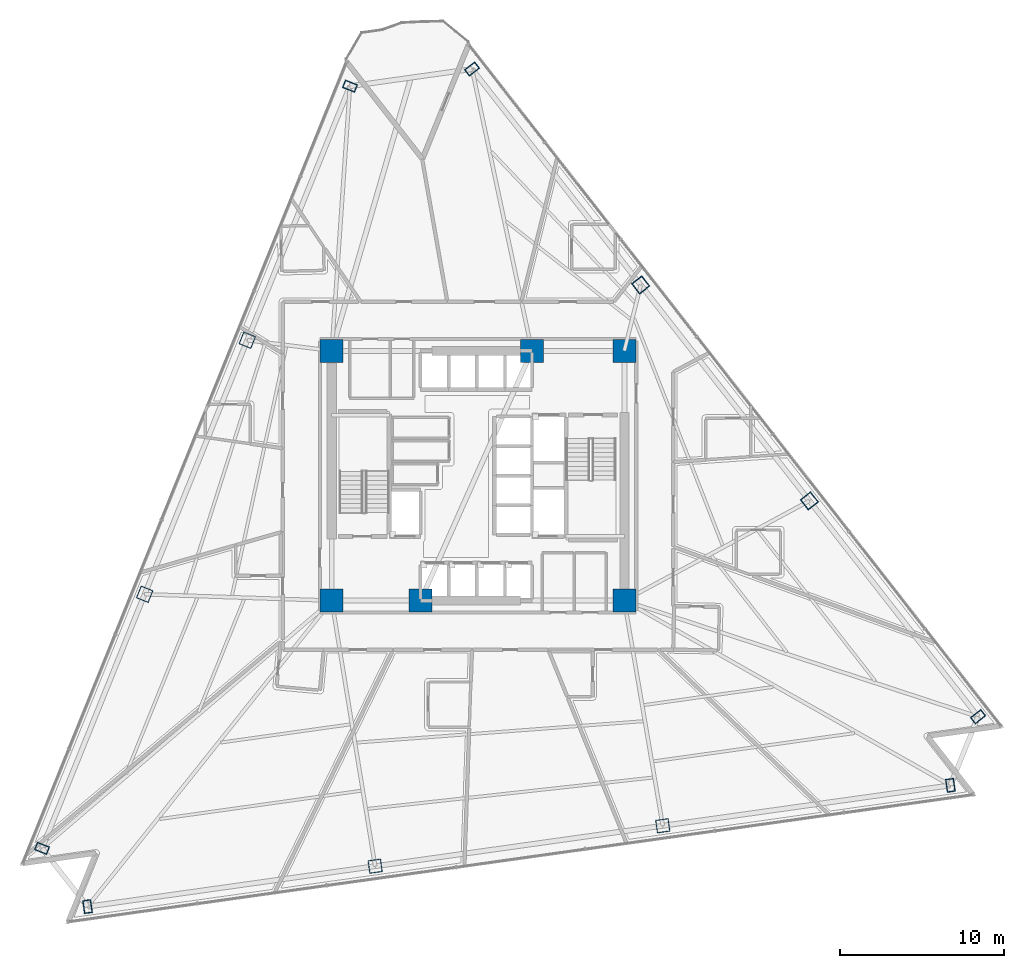
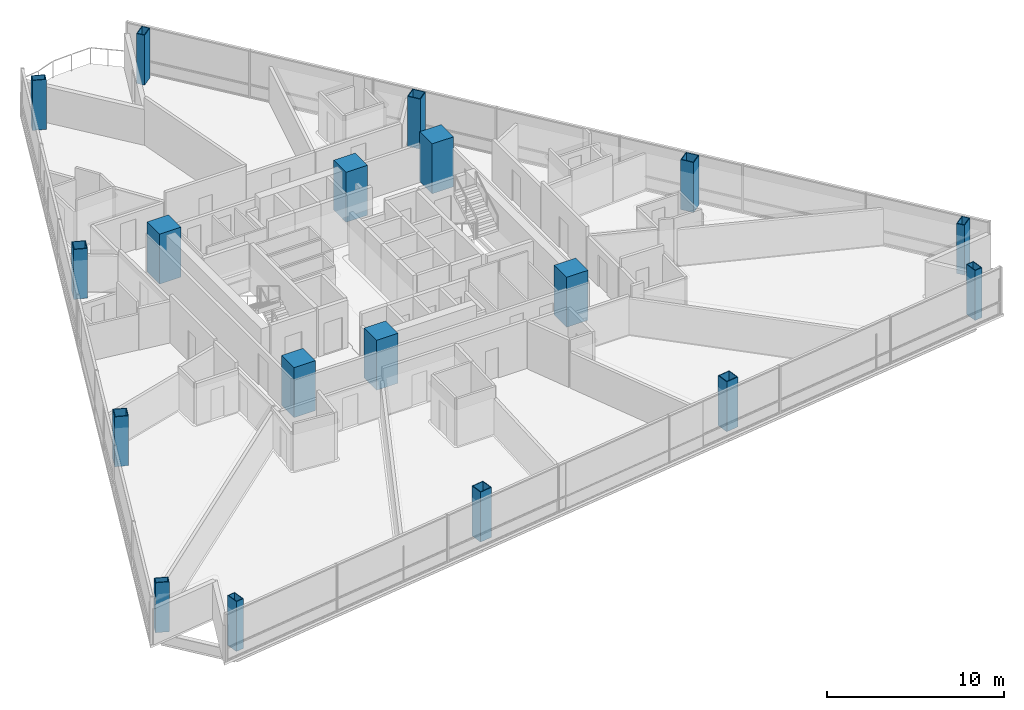
# One storey, part 1 of 16: 18 columns.
"""IFC4 building model written with IfcOpenShell, lengths in metres."""

from ifc_helpers import new_model, si_unit, direction, frame, origin, origin_2d, place, context, subcontext, project, spatial, rectangle, hollow_rectangle, extrude, material, material_profile, profile_set, type_object, element, save


model = new_model("IFC4")

# Units and contexts
model_context = context("Model", 3, precision=1e-05, world=origin(), true_north=direction((0.0, 1.0)))
body_context = subcontext(model_context, "Body", "Model", "MODEL_VIEW")
ifc_project = project(units=[si_unit("LENGTHUNIT", "METRE"), si_unit("AREAUNIT", "SQUARE_METRE"), si_unit("VOLUMEUNIT", "CUBIC_METRE"), si_unit("PLANEANGLEUNIT", "RADIAN"), si_unit("MASSUNIT", "GRAM", prefix="KILO")], contexts=[model_context])

# Site, building, storey
site_placement = place(None, origin())
site = spatial("IfcSite", under=ifc_project, at=site_placement, CompositionType="ELEMENT")
building_placement = place(site_placement, origin())
building = spatial("IfcBuilding", under=site, at=building_placement, Name="Tharavind Bronze Gate", CompositionType="ELEMENT")
storey_placement = place(building_placement, frame((0.0, 0.0, 70.75)))
storey = spatial("IfcBuildingStorey", under=building, at=storey_placement, Name="L17", CompositionType="ELEMENT", Elevation=70.75)

# Columns
ifc_material_1 = material(Name="Steel S460", Category="steel")
ifc_material_profile_1 = material_profile(ifc_material_1, hollow_rectangle(XDim=0.5, YDim=0.800048828125, WallThickness=0.0400390625, at=origin_2d()), Name="RHS800X500X40")
ifc_profile_set_1 = profile_set([ifc_material_profile_1], Name="Steel S460")
column_type_1 = type_object("IfcColumnType", Name="CORNER NOTCH COLUMN RHS800X500", PredefinedType="COLUMN", material=ifc_profile_set_1)
for number, where, z_axis, x_axis, name in (
    (1, (-7.7919921875, 23.69775390625, 0.0), (0.0, 0.0, 1.0), (0.374608211656, 0.927183200754, 0.0), "L17 perimeter column S1C1"),
    (2, (-26.525146484375, -22.66845703125, 0.0), (0.0, 0.0, 1.0), (0.374608211656, 0.927183200754, 0.0), "L17 perimeter column S1C4"),
    (3, (-23.754638671875, -26.21435546875, 0.0), (0.0, 0.0, 1.0), (0.990268068742, 0.13917310096, 0.0), "L17 perimeter column S2C1"),
    (4, (28.737060546875, -18.837158203125, 0.0), (0.0, 0.0, 1.0), (0.990268068742, 0.13917310096, 0.0), "L17 perimeter column S2C4"),
    (5, (30.422607421875, -14.664794921875, 0.0), (0.0, 0.0, 1.0), (-0.615661475326, 0.788010753607, 0.0), "L17 perimeter column S3C1"),
    (6, (-0.364990234375, 24.741455078125, 0.0), (0.0, 0.0, 1.0), (-0.615661475326, 0.788010753607, 0.0), "L17 perimeter column S3C4"),
):
    element("IfcColumn", number, at=place(storey_placement, frame(where, z_axis=z_axis, x_axis=x_axis)), inside=storey, type_object=column_type_1, Name=name, PredefinedType="COLUMN", context=body_context, shape_type="SweptSolid", body=[
        extrude(hollow_rectangle(XDim=0.5, YDim=0.800048828125, WallThickness=0.0400390625, at=origin_2d()), origin(), (0.0, 0.0, 1.0), 3.449951171875),
    ])
ifc_material_2 = material(Name="Concrete C70/85", Category="concrete")
ifc_material_profile_2 = material_profile(ifc_material_2, rectangle(XDim=1.39990234375, YDim=1.39990234375, at=origin_2d()), Name="RCCOL1400")
ifc_profile_set_2 = profile_set([ifc_material_profile_2], Name="Concrete C70/85")
column_type_2 = type_object("IfcColumnType", Name="MEGA CORE COLUMN 1400", PredefinedType="COLUMN", material=ifc_profile_set_2)
for number, where, z_axis, x_axis, name in (
    (7, (-8.89990234375, -7.60009765625, 0.0), (0.0, 0.0, 1.0), (1.0, 0.0, 0.0), "L17 core mega column MC1"),
    (8, (-3.5, -7.60009765625, 0.0), (0.0, 0.0, 1.0), (1.0, 0.0, 0.0), "L17 core mega column MC2"),
    (9, (8.89990234375, -7.60009765625, 0.0), (0.0, 0.0, 1.0), (1.0, 0.0, 0.0), "L17 core mega column MC3"),
    (10, (8.89990234375, 7.60009765625, 0.0), (0.0, 0.0, 1.0), (1.0, 0.0, 0.0), "L17 core mega column MC4"),
    (11, (3.280029296875, 7.60009765625, 0.0), (0.0, 0.0, 1.0), (1.0, 0.0, 0.0), "L17 core mega column MC5"),
    (12, (-8.89990234375, 7.60009765625, 0.0), (0.0, 0.0, 1.0), (1.0, 0.0, 0.0), "L17 core mega column MC6"),
):
    element("IfcColumn", number, at=place(storey_placement, frame(where, z_axis=z_axis, x_axis=x_axis)), inside=storey, type_object=column_type_2, Name=name, PredefinedType="COLUMN", context=body_context, shape_type="SweptSolid", body=[
        extrude(rectangle(XDim=1.39990234375, YDim=1.39990234375, at=origin_2d()), origin(), (0.0, 0.0, 1.0), 3.449951171875),
    ])
ifc_material_profile_3 = material_profile(ifc_material_1, hollow_rectangle(XDim=0.800048828125, YDim=0.800048828125, WallThickness=0.044921875, at=origin_2d()), Name="SHS800X45")
ifc_profile_set_3 = profile_set([ifc_material_profile_3], Name="Steel S460")
column_type_3 = type_object("IfcColumnType", Name="PERIMETER BOX COLUMN SHS800", PredefinedType="COLUMN", material=ifc_profile_set_3)
for number, where, z_axis, x_axis, name in (
    (13, (-14.036376953125, 8.2421875, 0.0), (0.0, 0.0, 1.0), (0.374608211656, 0.927183200754, 0.0), "L17 perimeter column S1C2"),
    (14, (-20.28076171875, -7.212890625, 0.0), (0.0, 0.0, 1.0), (0.374608211656, 0.927183200754, 0.0), "L17 perimeter column S1C3"),
    (15, (-6.25732421875, -23.75537109375, 0.0), (0.0, 0.0, 1.0), (0.990268068742, 0.13917310096, 0.0), "L17 perimeter column S2C2"),
    (16, (11.23974609375, -21.29638671875, 0.0), (0.0, 0.0, 1.0), (0.990268068742, 0.13917310096, 0.0), "L17 perimeter column S2C3"),
    (17, (20.16015625, -1.529296875, 0.0), (0.0, 0.0, 1.0), (-0.615661475326, 0.788010753607, 0.0), "L17 perimeter column S3C2"),
    (18, (9.897705078125, 11.60595703125, 0.0), (0.0, 0.0, 1.0), (-0.615661475326, 0.788010753607, 0.0), "L17 perimeter column S3C3"),
):
    element("IfcColumn", number, at=place(storey_placement, frame(where, z_axis=z_axis, x_axis=x_axis)), inside=storey, type_object=column_type_3, Name=name, PredefinedType="COLUMN", context=body_context, shape_type="SweptSolid", body=[
        extrude(hollow_rectangle(XDim=0.800048828125, YDim=0.800048828125, WallThickness=0.044921875, at=origin_2d()), origin(), (0.0, 0.0, 1.0), 3.449951171875),
    ])

save(model, "model.ifc")
